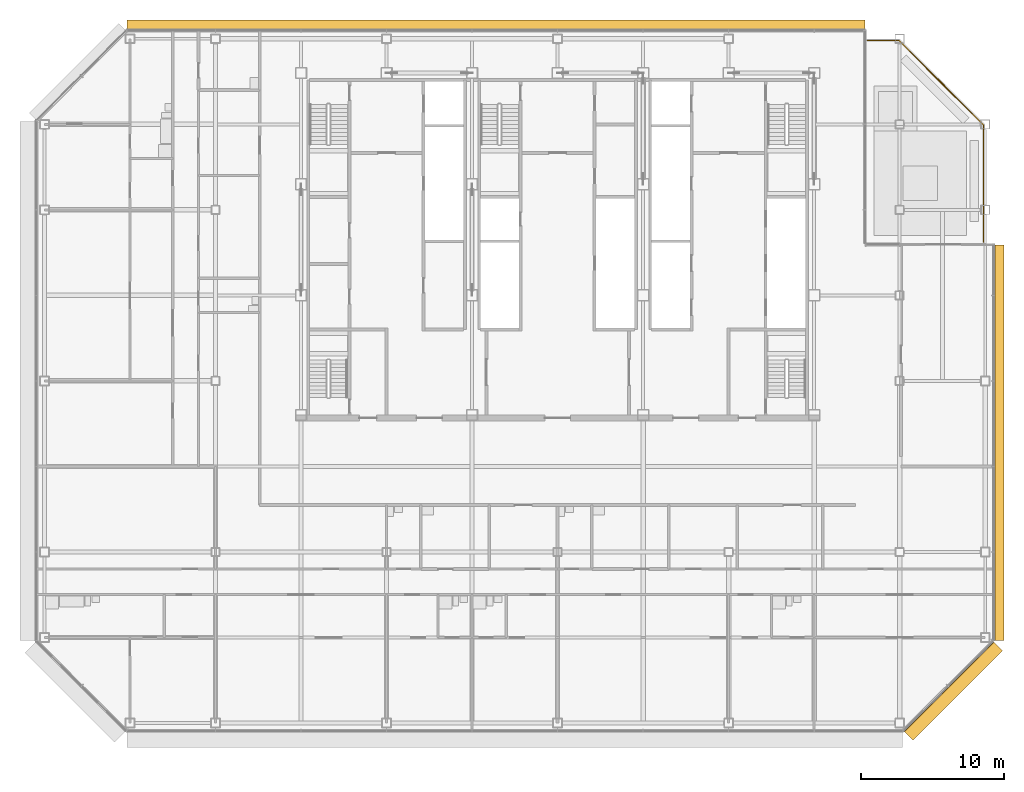
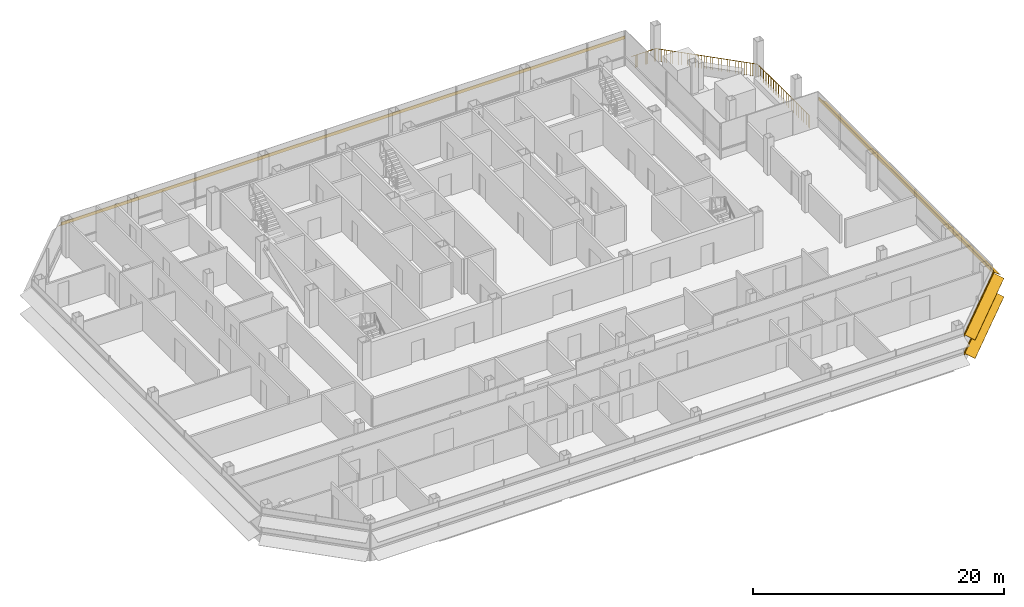
# One storey, part 27 of 29: 3 shading devices, 1 railing.
"""IFC4 building model written with IfcOpenShell, lengths in metres."""

from ifc_helpers import new_model, si_unit, direction, frame, origin, origin_2d, place, context, subcontext, project, spatial, polyline, circle, outline, composite_profile, extrude, material, type_object, element, save


model = new_model("IFC4")

# Units and contexts
model_context = context("Model", 3, precision=1e-05, world=origin(), true_north=direction((0.0, 1.0)))
body_context = subcontext(model_context, "Body", "Model", "MODEL_VIEW")
ifc_project = project(units=[si_unit("LENGTHUNIT", "METRE"), si_unit("AREAUNIT", "SQUARE_METRE"), si_unit("VOLUMEUNIT", "CUBIC_METRE"), si_unit("PLANEANGLEUNIT", "RADIAN"), si_unit("MASSUNIT", "GRAM", prefix="KILO")], contexts=[model_context])

# Site, building, storey
site_placement = place(None, origin())
site = spatial("IfcSite", under=ifc_project, at=site_placement, CompositionType="ELEMENT")
building_placement = place(site_placement, origin())
building = spatial("IfcBuilding", under=site, at=building_placement, Name="Sorahane Residences", CompositionType="ELEMENT")
storey_placement = place(building_placement, frame((0.0, 0.0, 199.199951171875)))
storey = spatial("IfcBuildingStorey", under=building, at=storey_placement, Name="L46", CompositionType="ELEMENT", Elevation=199.199951171875)

# Shading devices
ifc_material_1 = material(Name="Terracotta anodised aluminium", Category="masonry")
shading_device_type_1 = type_object("IfcShadingDeviceType", Name="Louvre sunshade blade E terracotta aluminium 700", PredefinedType="JALOUSIE", material=ifc_material_1)
shading_device_1_placement = place(storey_placement, frame((54.60009765625, 5.801513671875, 2.699951171875), z_axis=(0.0, 1.0, 0.0), x_axis=(-1.0, 0.0, 0.0)))
element("IfcShadingDevice", 1, at=shading_device_1_placement, inside=storey, type_object=shading_device_type_1, Name="Louvre sunshade blade bank E L46 E1", PredefinedType="JALOUSIE", context=body_context, shape_type="SweptSolid", body=[
    extrude(outline(polyline([(-0.719970703125, -0.49365234375), (-0.719970703125, -0.523681640625), (-0.080078125, -0.05859375), (-0.080078125, -0.14990234375), (-0.02001953125, -0.14990234375), (-0.02001953125, -0.014892578125), (-0.02001953125, 0.014892578125), (-0.02001953125, 0.14990234375), (-0.080078125, 0.14990234375), (-0.080078125, -0.028564453125), (-0.719970703125, -0.49365234375)])), origin(), (0.0, 0.0, 1.0), 27.74853515625),
])
ifc_material_2 = material(Name="Terracotta anodised aluminium", Category="masonry")
shading_device_type_2 = type_object("IfcShadingDeviceType", Name="Louvre sunshade blade N terracotta aluminium 700", PredefinedType="JALOUSIE", material=ifc_material_2)
shading_device_2_placement = place(storey_placement, frame((45.550048828125, 48.60009765625, 2.699951171875), z_axis=(-1.0, 0.0, 0.0), x_axis=(0.0, -1.0, 0.0)))
element("IfcShadingDevice", 2, at=shading_device_2_placement, inside=storey, type_object=shading_device_type_2, Name="Louvre sunshade blade bank N L46 N2", PredefinedType="JALOUSIE", context=body_context, shape_type="SweptSolid", body=[
    extrude(outline(polyline([(-0.719970703125, -0.660888671875), (-0.719970703125, -0.69091796875), (-0.080078125, -0.072998046875), (-0.080078125, -0.14990234375), (-0.02001953125, -0.14990234375), (-0.02001953125, -0.014892578125), (-0.02001953125, 0.014892578125), (-0.02001953125, 0.14990234375), (-0.080078125, 0.14990234375), (-0.080078125, -0.04296875), (-0.719970703125, -0.660888671875)])), origin(), (0.0, 0.0, 1.0), 51.74853515625),
])
ifc_material_3 = material(Name="Terracotta anodised aluminium", Category="masonry")
shading_device_type_3 = type_object("IfcShadingDeviceType", Name="Louvre sunshade blade SE terracotta aluminium 900", PredefinedType="JALOUSIE", material=ifc_material_3)
shading_device_3_placement = place(storey_placement, frame((48.283935546875, -0.564697265625, 0.900146484375), z_axis=(0.707106781187, 0.707106781187, 0.0), x_axis=(-0.707106781187, 0.707106781187, 0.0)))
element("IfcShadingDevice", 3, at=shading_device_3_placement, inside=storey, type_object=shading_device_type_3, Name="Louvre sunshade blade bank SE L46 SE1", PredefinedType="JALOUSIE", context=body_context, shape_type="SweptSolid", body=[
    extrude(composite_profile([outline(polyline([(-0.919921875, -0.3486328125), (-0.919921875, -0.378662109375), (-0.080078125, -0.039306640625), (-0.080078125, -0.14990234375), (-0.02001953125, -0.14990234375), (-0.02001953125, -0.014892578125), (-0.02001953125, 0.014892578125), (-0.02001953125, 0.14990234375), (-0.080078125, 0.14990234375), (-0.080078125, -0.00927734375), (-0.919921875, -0.3486328125)])), outline(polyline([(-0.919921875, 1.451416015625), (-0.919921875, 1.42138671875), (-0.080078125, 1.7607421875), (-0.080078125, 1.64990234375), (-0.02001953125, 1.64990234375), (-0.02001953125, 1.784912109375), (-0.02001953125, 1.81494140625), (-0.02001953125, 1.949951171875), (-0.080078125, 1.949951171875), (-0.080078125, 1.790771484375), (-0.919921875, 1.451416015625)]))]), origin(), (0.0, 0.0, 1.0), 8.88232421875),
])

# Railing
ifc_material_4 = material(Name="Clear low-iron glass with a black steel top rail", Category="steel")
railing_type = type_object("IfcRailingType", Name="Terrace guard black steel bars 1260", PredefinedType="GUARDRAIL", material=ifc_material_4)
railing_placement = place(storey_placement, frame((45.719970703125, 47.8798828125, 0.0)))
element("IfcRailing", 4, at=railing_placement, inside=storey, type_object=railing_type, Name="Terrace guard L46.1.1", PredefinedType="GUARDRAIL", context=body_context, shape_type="SweptSolid", body=[
    extrude(circle(Radius=0.030029296875, at=origin_2d()), frame((0.0, 0.0, 1.22998046875), z_axis=(1.0, 0.0, 0.0), x_axis=(0.0, 1.0, 0.0)), (0.0, 0.0, 1.0), 2.230224609375),
    extrude(circle(Radius=0.030029296875, at=origin_2d()), frame((2.230224609375, 0.0, 1.22998046875), z_axis=(0.707106781187, -0.707106781187, 0.0), x_axis=(0.707106781187, 0.707106781187, 0.0)), (0.0, 0.0, 1.0), 8.3857421875),
    extrude(circle(Radius=0.030029296875, at=origin_2d()), frame((8.159912109375, -5.9296875, 1.22998046875), z_axis=(0.0, -1.0, 0.0), x_axis=(1.0, 0.0, 0.0)), (0.0, 0.0, 1.0), 8.230224609375),
    extrude(circle(Radius=0.0068359375, at=origin_2d()), origin(), (0.0, 0.0, 1.0), 1.199951171875),
    extrude(circle(Radius=0.0068359375, at=origin_2d()), frame((0.096923828125, 0.0, 0.0)), (0.0, 0.0, 1.0), 1.199951171875),
    extrude(circle(Radius=0.0068359375, at=origin_2d()), frame((0.19384765625, 0.0, 0.0)), (0.0, 0.0, 1.0), 1.199951171875),
    extrude(circle(Radius=0.0068359375, at=origin_2d()), frame((0.291015625, 0.0, 0.0)), (0.0, 0.0, 1.0), 1.199951171875),
    extrude(circle(Radius=0.0068359375, at=origin_2d()), frame((0.387939453125, 0.0, 0.0)), (0.0, 0.0, 1.0), 1.199951171875),
    extrude(circle(Radius=0.0068359375, at=origin_2d()), frame((0.48486328125, 0.0, 0.0)), (0.0, 0.0, 1.0), 1.199951171875),
    extrude(circle(Radius=0.0068359375, at=origin_2d()), frame((0.581787109375, 0.0, 0.0)), (0.0, 0.0, 1.0), 1.199951171875),
    extrude(circle(Radius=0.0068359375, at=origin_2d()), frame((0.6787109375, 0.0, 0.0)), (0.0, 0.0, 1.0), 1.199951171875),
    extrude(circle(Radius=0.0068359375, at=origin_2d()), frame((0.775634765625, 0.0, 0.0)), (0.0, 0.0, 1.0), 1.199951171875),
    extrude(circle(Radius=0.0068359375, at=origin_2d()), frame((0.872802734375, 0.0, 0.0)), (0.0, 0.0, 1.0), 1.199951171875),
    extrude(circle(Radius=0.0068359375, at=origin_2d()), frame((0.9697265625, 0.0, 0.0)), (0.0, 0.0, 1.0), 1.199951171875),
    extrude(circle(Radius=0.0068359375, at=origin_2d()), frame((1.066650390625, 0.0, 0.0)), (0.0, 0.0, 1.0), 1.199951171875),
    extrude(circle(Radius=0.0068359375, at=origin_2d()), frame((1.16357421875, 0.0, 0.0)), (0.0, 0.0, 1.0), 1.199951171875),
    extrude(circle(Radius=0.0068359375, at=origin_2d()), frame((1.260498046875, 0.0, 0.0)), (0.0, 0.0, 1.0), 1.199951171875),
    extrude(circle(Radius=0.0068359375, at=origin_2d()), frame((1.357421875, 0.0, 0.0)), (0.0, 0.0, 1.0), 1.199951171875),
    extrude(circle(Radius=0.0068359375, at=origin_2d()), frame((1.45458984375, 0.0, 0.0)), (0.0, 0.0, 1.0), 1.199951171875),
    extrude(circle(Radius=0.0068359375, at=origin_2d()), frame((1.551513671875, 0.0, 0.0)), (0.0, 0.0, 1.0), 1.199951171875),
    extrude(circle(Radius=0.0068359375, at=origin_2d()), frame((1.6484375, 0.0, 0.0)), (0.0, 0.0, 1.0), 1.199951171875),
    extrude(circle(Radius=0.0068359375, at=origin_2d()), frame((1.745361328125, 0.0, 0.0)), (0.0, 0.0, 1.0), 1.199951171875),
    extrude(circle(Radius=0.0068359375, at=origin_2d()), frame((1.84228515625, 0.0, 0.0)), (0.0, 0.0, 1.0), 1.199951171875),
    extrude(circle(Radius=0.0068359375, at=origin_2d()), frame((1.939208984375, 0.0, 0.0)), (0.0, 0.0, 1.0), 1.199951171875),
    extrude(circle(Radius=0.0068359375, at=origin_2d()), frame((2.036376953125, 0.0, 0.0)), (0.0, 0.0, 1.0), 1.199951171875),
    extrude(circle(Radius=0.0068359375, at=origin_2d()), frame((2.13330078125, 0.0, 0.0)), (0.0, 0.0, 1.0), 1.199951171875),
    extrude(circle(Radius=0.0068359375, at=origin_2d()), frame((2.230224609375, 0.0, 0.0)), (0.0, 0.0, 1.0), 1.199951171875),
    extrude(circle(Radius=0.0068359375, at=origin_2d()), frame((2.30078125, -0.070556640625, 0.0)), (0.0, 0.0, 1.0), 1.199951171875),
    extrude(circle(Radius=0.0068359375, at=origin_2d()), frame((2.371337890625, -0.14111328125, 0.0)), (0.0, 0.0, 1.0), 1.199951171875),
    extrude(circle(Radius=0.0068359375, at=origin_2d()), frame((2.44189453125, -0.211669921875, 0.0)), (0.0, 0.0, 1.0), 1.199951171875),
    extrude(circle(Radius=0.0068359375, at=origin_2d()), frame((2.5126953125, -0.282470703125, 0.0)), (0.0, 0.0, 1.0), 1.199951171875),
    extrude(circle(Radius=0.0068359375, at=origin_2d()), frame((2.583251953125, -0.35302734375, 0.0)), (0.0, 0.0, 1.0), 1.199951171875),
    extrude(circle(Radius=0.0068359375, at=origin_2d()), frame((2.65380859375, -0.423583984375, 0.0)), (0.0, 0.0, 1.0), 1.199951171875),
    extrude(circle(Radius=0.0068359375, at=origin_2d()), frame((2.724365234375, -0.494140625, 0.0)), (0.0, 0.0, 1.0), 1.199951171875),
    extrude(circle(Radius=0.0068359375, at=origin_2d()), frame((2.794921875, -0.564697265625, 0.0)), (0.0, 0.0, 1.0), 1.199951171875),
    extrude(circle(Radius=0.0068359375, at=origin_2d()), frame((2.865478515625, -0.63525390625, 0.0)), (0.0, 0.0, 1.0), 1.199951171875),
    extrude(circle(Radius=0.0068359375, at=origin_2d()), frame((2.93603515625, -0.705810546875, 0.0)), (0.0, 0.0, 1.0), 1.199951171875),
    extrude(circle(Radius=0.0068359375, at=origin_2d()), frame((3.0068359375, -0.776611328125, 0.0)), (0.0, 0.0, 1.0), 1.199951171875),
    extrude(circle(Radius=0.0068359375, at=origin_2d()), frame((3.077392578125, -0.84716796875, 0.0)), (0.0, 0.0, 1.0), 1.199951171875),
    extrude(circle(Radius=0.0068359375, at=origin_2d()), frame((3.14794921875, -0.917724609375, 0.0)), (0.0, 0.0, 1.0), 1.199951171875),
    extrude(circle(Radius=0.0068359375, at=origin_2d()), frame((3.218505859375, -0.98828125, 0.0)), (0.0, 0.0, 1.0), 1.199951171875),
    extrude(circle(Radius=0.0068359375, at=origin_2d()), frame((3.2890625, -1.058837890625, 0.0)), (0.0, 0.0, 1.0), 1.199951171875),
    extrude(circle(Radius=0.0068359375, at=origin_2d()), frame((3.359619140625, -1.12939453125, 0.0)), (0.0, 0.0, 1.0), 1.199951171875),
    extrude(circle(Radius=0.0068359375, at=origin_2d()), frame((3.43017578125, -1.199951171875, 0.0)), (0.0, 0.0, 1.0), 1.199951171875),
    extrude(circle(Radius=0.0068359375, at=origin_2d()), frame((3.5009765625, -1.270751953125, 0.0)), (0.0, 0.0, 1.0), 1.199951171875),
    extrude(circle(Radius=0.0068359375, at=origin_2d()), frame((3.571533203125, -1.34130859375, 0.0)), (0.0, 0.0, 1.0), 1.199951171875),
    extrude(circle(Radius=0.0068359375, at=origin_2d()), frame((3.64208984375, -1.411865234375, 0.0)), (0.0, 0.0, 1.0), 1.199951171875),
    extrude(circle(Radius=0.0068359375, at=origin_2d()), frame((3.712646484375, -1.482421875, 0.0)), (0.0, 0.0, 1.0), 1.199951171875),
    extrude(circle(Radius=0.0068359375, at=origin_2d()), frame((3.783203125, -1.552978515625, 0.0)), (0.0, 0.0, 1.0), 1.199951171875),
    extrude(circle(Radius=0.0068359375, at=origin_2d()), frame((3.853759765625, -1.62353515625, 0.0)), (0.0, 0.0, 1.0), 1.199951171875),
    extrude(circle(Radius=0.0068359375, at=origin_2d()), frame((3.92431640625, -1.694091796875, 0.0)), (0.0, 0.0, 1.0), 1.199951171875),
    extrude(circle(Radius=0.0068359375, at=origin_2d()), frame((3.9951171875, -1.764892578125, 0.0)), (0.0, 0.0, 1.0), 1.199951171875),
    extrude(circle(Radius=0.0068359375, at=origin_2d()), frame((4.065673828125, -1.83544921875, 0.0)), (0.0, 0.0, 1.0), 1.199951171875),
    extrude(circle(Radius=0.0068359375, at=origin_2d()), frame((4.13623046875, -1.906005859375, 0.0)), (0.0, 0.0, 1.0), 1.199951171875),
    extrude(circle(Radius=0.0068359375, at=origin_2d()), frame((4.206787109375, -1.9765625, 0.0)), (0.0, 0.0, 1.0), 1.199951171875),
    extrude(circle(Radius=0.0068359375, at=origin_2d()), frame((4.27734375, -2.047119140625, 0.0)), (0.0, 0.0, 1.0), 1.199951171875),
    extrude(circle(Radius=0.0068359375, at=origin_2d()), frame((4.347900390625, -2.11767578125, 0.0)), (0.0, 0.0, 1.0), 1.199951171875),
    extrude(circle(Radius=0.0068359375, at=origin_2d()), frame((4.41845703125, -2.188232421875, 0.0)), (0.0, 0.0, 1.0), 1.199951171875),
    extrude(circle(Radius=0.0068359375, at=origin_2d()), frame((4.4892578125, -2.259033203125, 0.0)), (0.0, 0.0, 1.0), 1.199951171875),
    extrude(circle(Radius=0.0068359375, at=origin_2d()), frame((4.559814453125, -2.32958984375, 0.0)), (0.0, 0.0, 1.0), 1.199951171875),
    extrude(circle(Radius=0.0068359375, at=origin_2d()), frame((4.63037109375, -2.400146484375, 0.0)), (0.0, 0.0, 1.0), 1.199951171875),
    extrude(circle(Radius=0.0068359375, at=origin_2d()), frame((4.700927734375, -2.470703125, 0.0)), (0.0, 0.0, 1.0), 1.199951171875),
    extrude(circle(Radius=0.0068359375, at=origin_2d()), frame((4.771484375, -2.541259765625, 0.0)), (0.0, 0.0, 1.0), 1.199951171875),
    extrude(circle(Radius=0.0068359375, at=origin_2d()), frame((4.842041015625, -2.61181640625, 0.0)), (0.0, 0.0, 1.0), 1.199951171875),
    extrude(circle(Radius=0.0068359375, at=origin_2d()), frame((4.91259765625, -2.682373046875, 0.0)), (0.0, 0.0, 1.0), 1.199951171875),
    extrude(circle(Radius=0.0068359375, at=origin_2d()), frame((4.9833984375, -2.753173828125, 0.0)), (0.0, 0.0, 1.0), 1.199951171875),
    extrude(circle(Radius=0.0068359375, at=origin_2d()), frame((5.053955078125, -2.82373046875, 0.0)), (0.0, 0.0, 1.0), 1.199951171875),
    extrude(circle(Radius=0.0068359375, at=origin_2d()), frame((5.12451171875, -2.894287109375, 0.0)), (0.0, 0.0, 1.0), 1.199951171875),
    extrude(circle(Radius=0.0068359375, at=origin_2d()), frame((5.195068359375, -2.96484375, 0.0)), (0.0, 0.0, 1.0), 1.199951171875),
    extrude(circle(Radius=0.0068359375, at=origin_2d()), frame((5.265625, -3.035400390625, 0.0)), (0.0, 0.0, 1.0), 1.199951171875),
    extrude(circle(Radius=0.0068359375, at=origin_2d()), frame((5.336181640625, -3.10595703125, 0.0)), (0.0, 0.0, 1.0), 1.199951171875),
    extrude(circle(Radius=0.0068359375, at=origin_2d()), frame((5.40673828125, -3.176513671875, 0.0)), (0.0, 0.0, 1.0), 1.199951171875),
    extrude(circle(Radius=0.0068359375, at=origin_2d()), frame((5.4775390625, -3.247314453125, 0.0)), (0.0, 0.0, 1.0), 1.199951171875),
    extrude(circle(Radius=0.0068359375, at=origin_2d()), frame((5.548095703125, -3.31787109375, 0.0)), (0.0, 0.0, 1.0), 1.199951171875),
    extrude(circle(Radius=0.0068359375, at=origin_2d()), frame((5.61865234375, -3.388427734375, 0.0)), (0.0, 0.0, 1.0), 1.199951171875),
    extrude(circle(Radius=0.0068359375, at=origin_2d()), frame((5.689208984375, -3.458984375, 0.0)), (0.0, 0.0, 1.0), 1.199951171875),
    extrude(circle(Radius=0.0068359375, at=origin_2d()), frame((5.759765625, -3.529541015625, 0.0)), (0.0, 0.0, 1.0), 1.199951171875),
    extrude(circle(Radius=0.0068359375, at=origin_2d()), frame((5.830322265625, -3.60009765625, 0.0)), (0.0, 0.0, 1.0), 1.199951171875),
    extrude(circle(Radius=0.0068359375, at=origin_2d()), frame((5.90087890625, -3.670654296875, 0.0)), (0.0, 0.0, 1.0), 1.199951171875),
    extrude(circle(Radius=0.0068359375, at=origin_2d()), frame((5.9716796875, -3.741455078125, 0.0)), (0.0, 0.0, 1.0), 1.199951171875),
    extrude(circle(Radius=0.0068359375, at=origin_2d()), frame((6.042236328125, -3.81201171875, 0.0)), (0.0, 0.0, 1.0), 1.199951171875),
    extrude(circle(Radius=0.0068359375, at=origin_2d()), frame((6.11279296875, -3.882568359375, 0.0)), (0.0, 0.0, 1.0), 1.199951171875),
    extrude(circle(Radius=0.0068359375, at=origin_2d()), frame((6.183349609375, -3.953125, 0.0)), (0.0, 0.0, 1.0), 1.199951171875),
    extrude(circle(Radius=0.0068359375, at=origin_2d()), frame((6.25390625, -4.023681640625, 0.0)), (0.0, 0.0, 1.0), 1.199951171875),
    extrude(circle(Radius=0.0068359375, at=origin_2d()), frame((6.324462890625, -4.09423828125, 0.0)), (0.0, 0.0, 1.0), 1.199951171875),
    extrude(circle(Radius=0.0068359375, at=origin_2d()), frame((6.39501953125, -4.164794921875, 0.0)), (0.0, 0.0, 1.0), 1.199951171875),
    extrude(circle(Radius=0.0068359375, at=origin_2d()), frame((6.4658203125, -4.235595703125, 0.0)), (0.0, 0.0, 1.0), 1.199951171875),
    extrude(circle(Radius=0.0068359375, at=origin_2d()), frame((6.536376953125, -4.30615234375, 0.0)), (0.0, 0.0, 1.0), 1.199951171875),
    extrude(circle(Radius=0.0068359375, at=origin_2d()), frame((6.60693359375, -4.376708984375, 0.0)), (0.0, 0.0, 1.0), 1.199951171875),
    extrude(circle(Radius=0.0068359375, at=origin_2d()), frame((6.677490234375, -4.447265625, 0.0)), (0.0, 0.0, 1.0), 1.199951171875),
    extrude(circle(Radius=0.0068359375, at=origin_2d()), frame((6.748046875, -4.517822265625, 0.0)), (0.0, 0.0, 1.0), 1.199951171875),
    extrude(circle(Radius=0.0068359375, at=origin_2d()), frame((6.818603515625, -4.58837890625, 0.0)), (0.0, 0.0, 1.0), 1.199951171875),
    extrude(circle(Radius=0.0068359375, at=origin_2d()), frame((6.88916015625, -4.658935546875, 0.0)), (0.0, 0.0, 1.0), 1.199951171875),
    extrude(circle(Radius=0.0068359375, at=origin_2d()), frame((6.9599609375, -4.729736328125, 0.0)), (0.0, 0.0, 1.0), 1.199951171875),
    extrude(circle(Radius=0.0068359375, at=origin_2d()), frame((7.030517578125, -4.80029296875, 0.0)), (0.0, 0.0, 1.0), 1.199951171875),
    extrude(circle(Radius=0.0068359375, at=origin_2d()), frame((7.10107421875, -4.870849609375, 0.0)), (0.0, 0.0, 1.0), 1.199951171875),
    extrude(circle(Radius=0.0068359375, at=origin_2d()), frame((7.171630859375, -4.94140625, 0.0)), (0.0, 0.0, 1.0), 1.199951171875),
    extrude(circle(Radius=0.0068359375, at=origin_2d()), frame((7.2421875, -5.011962890625, 0.0)), (0.0, 0.0, 1.0), 1.199951171875),
    extrude(circle(Radius=0.0068359375, at=origin_2d()), frame((7.312744140625, -5.08251953125, 0.0)), (0.0, 0.0, 1.0), 1.199951171875),
    extrude(circle(Radius=0.0068359375, at=origin_2d()), frame((7.38330078125, -5.153076171875, 0.0)), (0.0, 0.0, 1.0), 1.199951171875),
    extrude(circle(Radius=0.0068359375, at=origin_2d()), frame((7.4541015625, -5.223876953125, 0.0)), (0.0, 0.0, 1.0), 1.199951171875),
    extrude(circle(Radius=0.0068359375, at=origin_2d()), frame((7.524658203125, -5.29443359375, 0.0)), (0.0, 0.0, 1.0), 1.199951171875),
    extrude(circle(Radius=0.0068359375, at=origin_2d()), frame((7.59521484375, -5.364990234375, 0.0)), (0.0, 0.0, 1.0), 1.199951171875),
    extrude(circle(Radius=0.0068359375, at=origin_2d()), frame((7.665771484375, -5.435546875, 0.0)), (0.0, 0.0, 1.0), 1.199951171875),
    extrude(circle(Radius=0.0068359375, at=origin_2d()), frame((7.736328125, -5.506103515625, 0.0)), (0.0, 0.0, 1.0), 1.199951171875),
    extrude(circle(Radius=0.0068359375, at=origin_2d()), frame((7.806884765625, -5.57666015625, 0.0)), (0.0, 0.0, 1.0), 1.199951171875),
    extrude(circle(Radius=0.0068359375, at=origin_2d()), frame((7.87744140625, -5.647216796875, 0.0)), (0.0, 0.0, 1.0), 1.199951171875),
    extrude(circle(Radius=0.0068359375, at=origin_2d()), frame((7.9482421875, -5.718017578125, 0.0)), (0.0, 0.0, 1.0), 1.199951171875),
    extrude(circle(Radius=0.0068359375, at=origin_2d()), frame((8.018798828125, -5.78857421875, 0.0)), (0.0, 0.0, 1.0), 1.199951171875),
    extrude(circle(Radius=0.0068359375, at=origin_2d()), frame((8.08935546875, -5.859130859375, 0.0)), (0.0, 0.0, 1.0), 1.199951171875),
    extrude(circle(Radius=0.0068359375, at=origin_2d()), frame((8.159912109375, -5.9296875, 0.0)), (0.0, 0.0, 1.0), 1.199951171875),
    extrude(circle(Radius=0.0068359375, at=origin_2d()), frame((8.159912109375, -6.02880859375, 0.0)), (0.0, 0.0, 1.0), 1.199951171875),
    extrude(circle(Radius=0.0068359375, at=origin_2d()), frame((8.159912109375, -6.1279296875, 0.0)), (0.0, 0.0, 1.0), 1.199951171875),
    extrude(circle(Radius=0.0068359375, at=origin_2d()), frame((8.159912109375, -6.22705078125, 0.0)), (0.0, 0.0, 1.0), 1.199951171875),
    extrude(circle(Radius=0.0068359375, at=origin_2d()), frame((8.159912109375, -6.326416015625, 0.0)), (0.0, 0.0, 1.0), 1.199951171875),
    extrude(circle(Radius=0.0068359375, at=origin_2d()), frame((8.159912109375, -6.425537109375, 0.0)), (0.0, 0.0, 1.0), 1.199951171875),
    extrude(circle(Radius=0.0068359375, at=origin_2d()), frame((8.159912109375, -6.524658203125, 0.0)), (0.0, 0.0, 1.0), 1.199951171875),
    extrude(circle(Radius=0.0068359375, at=origin_2d()), frame((8.159912109375, -6.623779296875, 0.0)), (0.0, 0.0, 1.0), 1.199951171875),
    extrude(circle(Radius=0.0068359375, at=origin_2d()), frame((8.159912109375, -6.722900390625, 0.0)), (0.0, 0.0, 1.0), 1.199951171875),
    extrude(circle(Radius=0.0068359375, at=origin_2d()), frame((8.159912109375, -6.822021484375, 0.0)), (0.0, 0.0, 1.0), 1.199951171875),
    extrude(circle(Radius=0.0068359375, at=origin_2d()), frame((8.159912109375, -6.92138671875, 0.0)), (0.0, 0.0, 1.0), 1.199951171875),
    extrude(circle(Radius=0.0068359375, at=origin_2d()), frame((8.159912109375, -7.0205078125, 0.0)), (0.0, 0.0, 1.0), 1.199951171875),
    extrude(circle(Radius=0.0068359375, at=origin_2d()), frame((8.159912109375, -7.11962890625, 0.0)), (0.0, 0.0, 1.0), 1.199951171875),
    extrude(circle(Radius=0.0068359375, at=origin_2d()), frame((8.159912109375, -7.21875, 0.0)), (0.0, 0.0, 1.0), 1.199951171875),
    extrude(circle(Radius=0.0068359375, at=origin_2d()), frame((8.159912109375, -7.31787109375, 0.0)), (0.0, 0.0, 1.0), 1.199951171875),
    extrude(circle(Radius=0.0068359375, at=origin_2d()), frame((8.159912109375, -7.4169921875, 0.0)), (0.0, 0.0, 1.0), 1.199951171875),
    extrude(circle(Radius=0.0068359375, at=origin_2d()), frame((8.159912109375, -7.516357421875, 0.0)), (0.0, 0.0, 1.0), 1.199951171875),
    extrude(circle(Radius=0.0068359375, at=origin_2d()), frame((8.159912109375, -7.615478515625, 0.0)), (0.0, 0.0, 1.0), 1.199951171875),
    extrude(circle(Radius=0.0068359375, at=origin_2d()), frame((8.159912109375, -7.714599609375, 0.0)), (0.0, 0.0, 1.0), 1.199951171875),
    extrude(circle(Radius=0.0068359375, at=origin_2d()), frame((8.159912109375, -7.813720703125, 0.0)), (0.0, 0.0, 1.0), 1.199951171875),
    extrude(circle(Radius=0.0068359375, at=origin_2d()), frame((8.159912109375, -7.912841796875, 0.0)), (0.0, 0.0, 1.0), 1.199951171875),
    extrude(circle(Radius=0.0068359375, at=origin_2d()), frame((8.159912109375, -8.011962890625, 0.0)), (0.0, 0.0, 1.0), 1.199951171875),
    extrude(circle(Radius=0.0068359375, at=origin_2d()), frame((8.159912109375, -8.111083984375, 0.0)), (0.0, 0.0, 1.0), 1.199951171875),
    extrude(circle(Radius=0.0068359375, at=origin_2d()), frame((8.159912109375, -8.21044921875, 0.0)), (0.0, 0.0, 1.0), 1.199951171875),
    extrude(circle(Radius=0.0068359375, at=origin_2d()), frame((8.159912109375, -8.3095703125, 0.0)), (0.0, 0.0, 1.0), 1.199951171875),
    extrude(circle(Radius=0.0068359375, at=origin_2d()), frame((8.159912109375, -8.40869140625, 0.0)), (0.0, 0.0, 1.0), 1.199951171875),
    extrude(circle(Radius=0.0068359375, at=origin_2d()), frame((8.159912109375, -8.5078125, 0.0)), (0.0, 0.0, 1.0), 1.199951171875),
    extrude(circle(Radius=0.0068359375, at=origin_2d()), frame((8.159912109375, -8.60693359375, 0.0)), (0.0, 0.0, 1.0), 1.199951171875),
    extrude(circle(Radius=0.0068359375, at=origin_2d()), frame((8.159912109375, -8.7060546875, 0.0)), (0.0, 0.0, 1.0), 1.199951171875),
    extrude(circle(Radius=0.0068359375, at=origin_2d()), frame((8.159912109375, -8.805419921875, 0.0)), (0.0, 0.0, 1.0), 1.199951171875),
    extrude(circle(Radius=0.0068359375, at=origin_2d()), frame((8.159912109375, -8.904541015625, 0.0)), (0.0, 0.0, 1.0), 1.199951171875),
    extrude(circle(Radius=0.0068359375, at=origin_2d()), frame((8.159912109375, -9.003662109375, 0.0)), (0.0, 0.0, 1.0), 1.199951171875),
    extrude(circle(Radius=0.0068359375, at=origin_2d()), frame((8.159912109375, -9.102783203125, 0.0)), (0.0, 0.0, 1.0), 1.199951171875),
    extrude(circle(Radius=0.0068359375, at=origin_2d()), frame((8.159912109375, -9.201904296875, 0.0)), (0.0, 0.0, 1.0), 1.199951171875),
    extrude(circle(Radius=0.0068359375, at=origin_2d()), frame((8.159912109375, -9.301025390625, 0.0)), (0.0, 0.0, 1.0), 1.199951171875),
    extrude(circle(Radius=0.0068359375, at=origin_2d()), frame((8.159912109375, -9.400146484375, 0.0)), (0.0, 0.0, 1.0), 1.199951171875),
    extrude(circle(Radius=0.0068359375, at=origin_2d()), frame((8.159912109375, -9.49951171875, 0.0)), (0.0, 0.0, 1.0), 1.199951171875),
    extrude(circle(Radius=0.0068359375, at=origin_2d()), frame((8.159912109375, -9.5986328125, 0.0)), (0.0, 0.0, 1.0), 1.199951171875),
    extrude(circle(Radius=0.0068359375, at=origin_2d()), frame((8.159912109375, -9.69775390625, 0.0)), (0.0, 0.0, 1.0), 1.199951171875),
    extrude(circle(Radius=0.0068359375, at=origin_2d()), frame((8.159912109375, -9.796875, 0.0)), (0.0, 0.0, 1.0), 1.199951171875),
    extrude(circle(Radius=0.0068359375, at=origin_2d()), frame((8.159912109375, -9.89599609375, 0.0)), (0.0, 0.0, 1.0), 1.199951171875),
    extrude(circle(Radius=0.0068359375, at=origin_2d()), frame((8.159912109375, -9.9951171875, 0.0)), (0.0, 0.0, 1.0), 1.199951171875),
    extrude(circle(Radius=0.0068359375, at=origin_2d()), frame((8.159912109375, -10.094482421875, 0.0)), (0.0, 0.0, 1.0), 1.199951171875),
    extrude(circle(Radius=0.0068359375, at=origin_2d()), frame((8.159912109375, -10.193603515625, 0.0)), (0.0, 0.0, 1.0), 1.199951171875),
    extrude(circle(Radius=0.0068359375, at=origin_2d()), frame((8.159912109375, -10.292724609375, 0.0)), (0.0, 0.0, 1.0), 1.199951171875),
    extrude(circle(Radius=0.0068359375, at=origin_2d()), frame((8.159912109375, -10.391845703125, 0.0)), (0.0, 0.0, 1.0), 1.199951171875),
    extrude(circle(Radius=0.0068359375, at=origin_2d()), frame((8.159912109375, -10.490966796875, 0.0)), (0.0, 0.0, 1.0), 1.199951171875),
    extrude(circle(Radius=0.0068359375, at=origin_2d()), frame((8.159912109375, -10.590087890625, 0.0)), (0.0, 0.0, 1.0), 1.199951171875),
    extrude(circle(Radius=0.0068359375, at=origin_2d()), frame((8.159912109375, -10.689453125, 0.0)), (0.0, 0.0, 1.0), 1.199951171875),
    extrude(circle(Radius=0.0068359375, at=origin_2d()), frame((8.159912109375, -10.78857421875, 0.0)), (0.0, 0.0, 1.0), 1.199951171875),
    extrude(circle(Radius=0.0068359375, at=origin_2d()), frame((8.159912109375, -10.8876953125, 0.0)), (0.0, 0.0, 1.0), 1.199951171875),
    extrude(circle(Radius=0.0068359375, at=origin_2d()), frame((8.159912109375, -10.98681640625, 0.0)), (0.0, 0.0, 1.0), 1.199951171875),
    extrude(circle(Radius=0.0068359375, at=origin_2d()), frame((8.159912109375, -11.0859375, 0.0)), (0.0, 0.0, 1.0), 1.199951171875),
    extrude(circle(Radius=0.0068359375, at=origin_2d()), frame((8.159912109375, -11.18505859375, 0.0)), (0.0, 0.0, 1.0), 1.199951171875),
    extrude(circle(Radius=0.0068359375, at=origin_2d()), frame((8.159912109375, -11.2841796875, 0.0)), (0.0, 0.0, 1.0), 1.199951171875),
    extrude(circle(Radius=0.0068359375, at=origin_2d()), frame((8.159912109375, -11.383544921875, 0.0)), (0.0, 0.0, 1.0), 1.199951171875),
    extrude(circle(Radius=0.0068359375, at=origin_2d()), frame((8.159912109375, -11.482666015625, 0.0)), (0.0, 0.0, 1.0), 1.199951171875),
    extrude(circle(Radius=0.0068359375, at=origin_2d()), frame((8.159912109375, -11.581787109375, 0.0)), (0.0, 0.0, 1.0), 1.199951171875),
    extrude(circle(Radius=0.0068359375, at=origin_2d()), frame((8.159912109375, -11.680908203125, 0.0)), (0.0, 0.0, 1.0), 1.199951171875),
    extrude(circle(Radius=0.0068359375, at=origin_2d()), frame((8.159912109375, -11.780029296875, 0.0)), (0.0, 0.0, 1.0), 1.199951171875),
    extrude(circle(Radius=0.0068359375, at=origin_2d()), frame((8.159912109375, -11.879150390625, 0.0)), (0.0, 0.0, 1.0), 1.199951171875),
    extrude(circle(Radius=0.0068359375, at=origin_2d()), frame((8.159912109375, -11.978515625, 0.0)), (0.0, 0.0, 1.0), 1.199951171875),
    extrude(circle(Radius=0.0068359375, at=origin_2d()), frame((8.159912109375, -12.07763671875, 0.0)), (0.0, 0.0, 1.0), 1.199951171875),
    extrude(circle(Radius=0.0068359375, at=origin_2d()), frame((8.159912109375, -12.1767578125, 0.0)), (0.0, 0.0, 1.0), 1.199951171875),
    extrude(circle(Radius=0.0068359375, at=origin_2d()), frame((8.159912109375, -12.27587890625, 0.0)), (0.0, 0.0, 1.0), 1.199951171875),
    extrude(circle(Radius=0.0068359375, at=origin_2d()), frame((8.159912109375, -12.375, 0.0)), (0.0, 0.0, 1.0), 1.199951171875),
    extrude(circle(Radius=0.0068359375, at=origin_2d()), frame((8.159912109375, -12.47412109375, 0.0)), (0.0, 0.0, 1.0), 1.199951171875),
    extrude(circle(Radius=0.0068359375, at=origin_2d()), frame((8.159912109375, -12.5732421875, 0.0)), (0.0, 0.0, 1.0), 1.199951171875),
    extrude(circle(Radius=0.0068359375, at=origin_2d()), frame((8.159912109375, -12.672607421875, 0.0)), (0.0, 0.0, 1.0), 1.199951171875),
    extrude(circle(Radius=0.0068359375, at=origin_2d()), frame((8.159912109375, -12.771728515625, 0.0)), (0.0, 0.0, 1.0), 1.199951171875),
    extrude(circle(Radius=0.0068359375, at=origin_2d()), frame((8.159912109375, -12.870849609375, 0.0)), (0.0, 0.0, 1.0), 1.199951171875),
    extrude(circle(Radius=0.0068359375, at=origin_2d()), frame((8.159912109375, -12.969970703125, 0.0)), (0.0, 0.0, 1.0), 1.199951171875),
    extrude(circle(Radius=0.0068359375, at=origin_2d()), frame((8.159912109375, -13.069091796875, 0.0)), (0.0, 0.0, 1.0), 1.199951171875),
    extrude(circle(Radius=0.0068359375, at=origin_2d()), frame((8.159912109375, -13.168212890625, 0.0)), (0.0, 0.0, 1.0), 1.199951171875),
    extrude(circle(Radius=0.0068359375, at=origin_2d()), frame((8.159912109375, -13.267578125, 0.0)), (0.0, 0.0, 1.0), 1.199951171875),
    extrude(circle(Radius=0.0068359375, at=origin_2d()), frame((8.159912109375, -13.36669921875, 0.0)), (0.0, 0.0, 1.0), 1.199951171875),
    extrude(circle(Radius=0.0068359375, at=origin_2d()), frame((8.159912109375, -13.4658203125, 0.0)), (0.0, 0.0, 1.0), 1.199951171875),
    extrude(circle(Radius=0.0068359375, at=origin_2d()), frame((8.159912109375, -13.56494140625, 0.0)), (0.0, 0.0, 1.0), 1.199951171875),
    extrude(circle(Radius=0.0068359375, at=origin_2d()), frame((8.159912109375, -13.6640625, 0.0)), (0.0, 0.0, 1.0), 1.199951171875),
    extrude(circle(Radius=0.0068359375, at=origin_2d()), frame((8.159912109375, -13.76318359375, 0.0)), (0.0, 0.0, 1.0), 1.199951171875),
    extrude(circle(Radius=0.0068359375, at=origin_2d()), frame((8.159912109375, -13.862548828125, 0.0)), (0.0, 0.0, 1.0), 1.199951171875),
    extrude(circle(Radius=0.0068359375, at=origin_2d()), frame((8.159912109375, -13.961669921875, 0.0)), (0.0, 0.0, 1.0), 1.199951171875),
    extrude(circle(Radius=0.0068359375, at=origin_2d()), frame((8.159912109375, -14.060791015625, 0.0)), (0.0, 0.0, 1.0), 1.199951171875),
    extrude(circle(Radius=0.0068359375, at=origin_2d()), frame((8.159912109375, -14.159912109375, 0.0)), (0.0, 0.0, 1.0), 1.199951171875),
])

save(model, "model.ifc")
